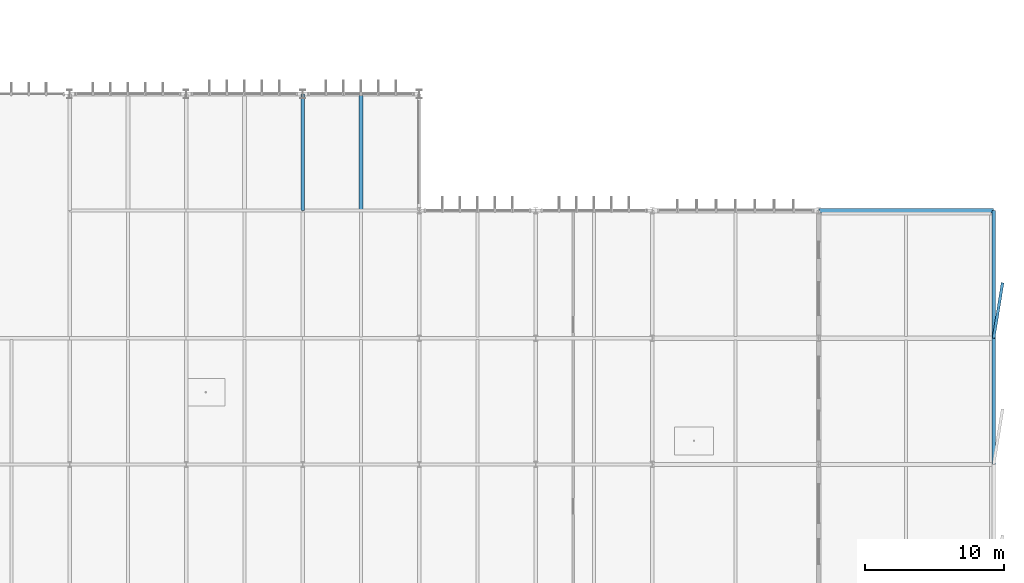
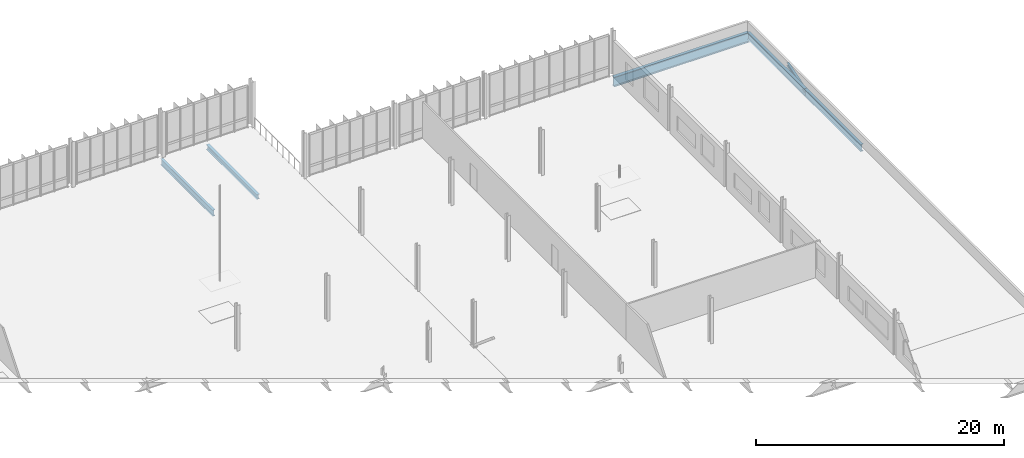
# One storey, part 82 of 139: 6 beams.
"""IFC4 building model written with IfcOpenShell, lengths in metres."""

from ifc_helpers import new_model, si_unit, derived_unit, direction, frame, origin, origin_2d, place, context, subcontext, project, spatial, i_section, extrude, material, material_profile, profile_set, type_object, element, save


model = new_model("IFC4")

# Units and contexts
model_context = context("Model", 3, precision=1e-05, world=origin(), true_north=direction((0.0, 1.0)))
body_context = subcontext(model_context, "Body", "Model", "MODEL_VIEW")
ifc_project = project(units=[si_unit("LENGTHUNIT", "METRE"), si_unit("AREAUNIT", "SQUARE_METRE"), si_unit("VOLUMEUNIT", "CUBIC_METRE"), si_unit("PLANEANGLEUNIT", "RADIAN"), si_unit("MASSUNIT", "GRAM", prefix="KILO"), derived_unit("THERMALTRANSMITTANCEUNIT", [(si_unit("MASSUNIT", "GRAM", prefix="KILO"), 1), (si_unit("TIMEUNIT", "SECOND"), -3), (si_unit("THERMODYNAMICTEMPERATUREUNIT", "KELVIN"), -1)])], contexts=[model_context])

# Site, building, storey
site_placement = place(None, origin())
site = spatial("IfcSite", under=ifc_project, at=site_placement, CompositionType="ELEMENT")
building_placement = place(site_placement, origin())
building = spatial("IfcBuilding", under=site, at=building_placement, Name="Makaiwela Harbour Ferry Terminal", CompositionType="ELEMENT")
storey_placement = place(building_placement, frame((0.0, 0.0, 5.10009765625)))
storey = spatial("IfcBuildingStorey", under=building, at=storey_placement, Name="L01", CompositionType="ELEMENT", Elevation=5.10009765625)

# Beams
ifc_material = material(Name="Steel ASTM A992 Grade 50", Category="steel")
ifc_material_profile_1 = material_profile(ifc_material, i_section(OverallWidth=0.280029296875, OverallDepth=0.462890625, WebThickness=0.0107421875, FlangeThickness=0.017333984375, at=origin_2d()), Name="W18X76")
ifc_profile_set_1 = profile_set([ifc_material_profile_1], Name="Steel ASTM A992 Grade 50")
beam_type_1 = type_object("IfcBeamType", Name="STR-BM-W18X76", PredefinedType="BEAM", material=ifc_profile_set_1)
beam_1_placement = place(storey_placement, frame((134.39990234375, 95.096435546875, -0.51171875), z_axis=(0.0, 1.0, 0.0), x_axis=(-1.0, 0.0, 0.0)))
element("IfcBeam", 1, at=beam_1_placement, inside=storey, type_object=beam_type_1, Name="Secondary floor beam 1149", PredefinedType="BEAM", context=body_context, shape_type="SweptSolid", body=[
    extrude(i_section(OverallWidth=0.280029296875, OverallDepth=0.462890625, WebThickness=0.0107421875, FlangeThickness=0.017333984375, at=origin_2d()), origin(), (0.0, 0.0, 1.0), 8.18896484375),
])
ifc_material_profile_2 = material_profile(ifc_material, i_section(OverallWidth=0.22900390625, OverallDepth=0.612060546875, WebThickness=0.011962890625, FlangeThickness=0.01953125, at=origin_2d()), Name="W24X84")
ifc_profile_set_2 = profile_set([ifc_material_profile_2], Name="Steel ASTM A992 Grade 50")
beam_type_2 = type_object("IfcBeamType", Name="STR-GRD-W24X84", PredefinedType="USERDEFINED", material=ifc_profile_set_2)
beam_2_placement = place(storey_placement, frame((130.199951171875, 95.0, -0.586181640625), z_axis=(0.0, 1.0, 0.0), x_axis=(-1.0, 0.0, 0.0)))
element("IfcBeam", 2, at=beam_2_placement, inside=storey, type_object=beam_type_2, Name="Primary Y girder 1006", ObjectType="GIRDER", PredefinedType="USERDEFINED", context=body_context, shape_type="SweptSolid", body=[
    extrude(i_section(OverallWidth=0.22900390625, OverallDepth=0.612060546875, WebThickness=0.011962890625, FlangeThickness=0.01953125, at=origin_2d()), origin(), (0.0, 0.0, 1.0), 8.39990234375),
])
ifc_material_profile_3 = material_profile(ifc_material, i_section(OverallWidth=0.256103515625, OverallDepth=0.693115234375, WebThickness=0.014404296875, FlangeThickness=0.023681640625, at=origin_2d()), Name="W27X114")
ifc_profile_set_3 = profile_set([ifc_material_profile_3], Name="Steel ASTM A992 Grade 50")
beam_type_3 = type_object("IfcBeamType", Name="STR-GRD-W27X114", PredefinedType="USERDEFINED", material=ifc_profile_set_3)
beam_3_placement = place(storey_placement, frame((180.0, 76.699951171875, -0.506591796875), z_axis=(0.0, 1.0, 0.0), x_axis=(-1.0, 0.0, 0.0)))
element("IfcBeam", 3, at=beam_3_placement, inside=storey, type_object=beam_type_3, Name="Primary Y girder 1061", ObjectType="GIRDER", PredefinedType="USERDEFINED", context=body_context, shape_type="SweptSolid", body=[
    extrude(i_section(OverallWidth=0.256103515625, OverallDepth=0.693115234375, WebThickness=0.014404296875, FlangeThickness=0.023681640625, at=origin_2d()), origin(), (0.0, 0.0, 1.0), 9.10009765625),
])
beam_4_placement = place(storey_placement, frame((180.0, 85.800048828125, -0.506591796875), z_axis=(0.0, 1.0, 0.0), x_axis=(-1.0, 0.0, 0.0)))
element("IfcBeam", 4, at=beam_4_placement, inside=storey, type_object=beam_type_3, Name="Primary Y girder 1062", ObjectType="GIRDER", PredefinedType="USERDEFINED", context=body_context, shape_type="SweptSolid", body=[
    extrude(i_section(OverallWidth=0.256103515625, OverallDepth=0.693115234375, WebThickness=0.014404296875, FlangeThickness=0.023681640625, at=origin_2d()), origin(), (0.0, 0.0, 1.0), 9.199951171875),
])
ifc_material_profile_4 = material_profile(ifc_material, i_section(OverallWidth=0.31005859375, OverallDepth=0.949951171875, WebThickness=0.0244140625, FlangeThickness=0.0439453125, at=origin_2d()), Name="W36X256")
ifc_profile_set_4 = profile_set([ifc_material_profile_4], Name="Steel ASTM A992 Grade 50")
beam_type_4 = type_object("IfcBeamType", Name="STR-GRD-W36X256", PredefinedType="USERDEFINED", material=ifc_profile_set_4)
beam_5_placement = place(storey_placement, frame((167.39990234375, 95.0, -0.635009765625), z_axis=(1.0, 0.0, 0.0), x_axis=(0.0, 1.0, 0.0)))
element("IfcBeam", 5, at=beam_5_placement, inside=storey, type_object=beam_type_4, Name="Primary X girder 901", ObjectType="GIRDER", PredefinedType="USERDEFINED", context=body_context, shape_type="SweptSolid", body=[
    extrude(i_section(OverallWidth=0.31005859375, OverallDepth=0.949951171875, WebThickness=0.0244140625, FlangeThickness=0.0439453125, at=origin_2d()), origin(), (0.0, 0.0, 1.0), 12.60009765625),
])
ifc_material_profile_5 = material_profile(ifc_material, i_section(OverallWidth=0.205078125, OverallDepth=0.31005859375, WebThickness=0.009521484375, FlangeThickness=0.016357421875, at=origin_2d()), Name="W12X50")
ifc_profile_set_5 = profile_set([ifc_material_profile_5], Name="Steel ASTM A992 Grade 50")
beam_type_5 = type_object("IfcBeamType", Name="STR-LNT-W12X50", PredefinedType="LINTEL", material=ifc_profile_set_5)
beam_6_placement = place(storey_placement, frame((180.64990234375, 89.800048828125, -0.400146484375), z_axis=(-0.160372591239, -0.987056549535, 0.0), x_axis=(0.987056549535, -0.160372591239, 0.0)))
element("IfcBeam", 6, at=beam_6_placement, inside=storey, type_object=beam_type_5, Name="Structural Beam LN-01", PredefinedType="LINTEL", context=body_context, shape_type="SweptSolid", body=[
    extrude(i_section(OverallWidth=0.205078125, OverallDepth=0.31005859375, WebThickness=0.009521484375, FlangeThickness=0.016357421875, at=origin_2d()), origin(), (0.0, 0.0, 1.0), 4.052490234375),
])

save(model, "model.ifc")
